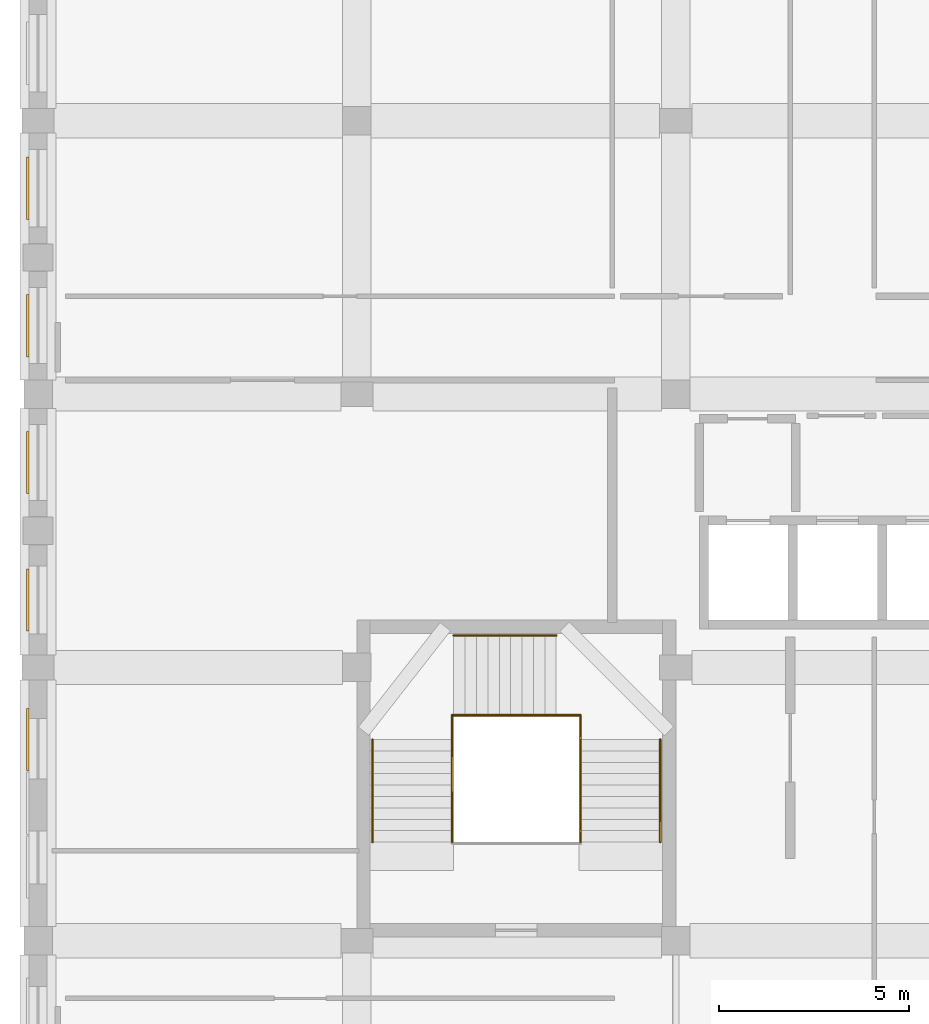
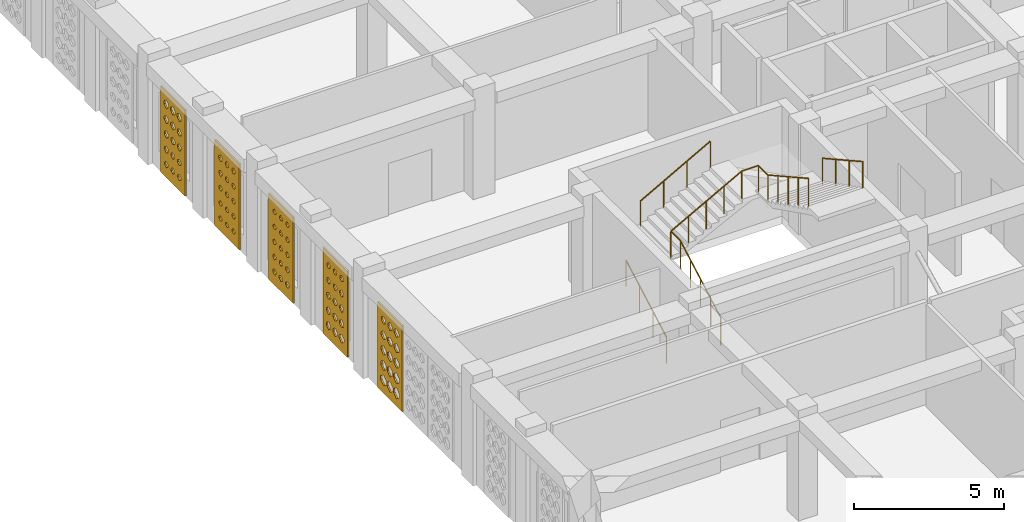
# One storey, part 80 of 111: 6 railings, 5 coverings.
"""IFC4 building model written with IfcOpenShell, lengths in metres."""

from ifc_helpers import new_model, si_unit, derived_unit, direction, frame, origin, origin_2d, place, context, subcontext, project, spatial, polyline, circle, outline, extrude, material, layer, layer_set, type_object, element, save


model = new_model("IFC4")

# Units and contexts
model_context = context("Model", 3, precision=1e-05, world=origin(), true_north=direction((0.0, 1.0)))
body_context = subcontext(model_context, "Body", "Model", "MODEL_VIEW")
ifc_project = project(units=[si_unit("LENGTHUNIT", "METRE"), si_unit("AREAUNIT", "SQUARE_METRE"), si_unit("VOLUMEUNIT", "CUBIC_METRE"), si_unit("PLANEANGLEUNIT", "RADIAN"), si_unit("MASSUNIT", "GRAM", prefix="KILO"), derived_unit("THERMALTRANSMITTANCEUNIT", [(si_unit("POWERUNIT", "WATT"), 1), (si_unit("LENGTHUNIT", "METRE"), -2), (si_unit("THERMODYNAMICTEMPERATUREUNIT", "KELVIN"), -1)])], contexts=[model_context])

# Site, building, storey
site_placement = place(None, origin())
site = spatial("IfcSite", under=ifc_project, at=site_placement, CompositionType="ELEMENT")
building_placement = place(site_placement, origin())
building = spatial("IfcBuilding", under=site, at=building_placement, Name="Veybourne Emporium", CompositionType="ELEMENT")
storey_placement = place(building_placement, frame((0.0, 0.0, 9.89990234375)))
storey = spatial("IfcBuildingStorey", under=building, at=storey_placement, Name="L02", CompositionType="ELEMENT", Elevation=9.89990234375)

# Railings
ifc_material_1 = material(Name="Brushed Stainless Steel", Category="steel")
railing_type_1 = type_object("IfcRailingType", Name="Guard_GR-01", PredefinedType="GUARDRAIL", material=ifc_material_1)
railing_1_placement = place(storey_placement, frame((10.909912109375, 31.39990234375, 0.0)))
element("IfcRailing", 1, at=railing_1_placement, inside=storey, type_object=railing_type_1, Name="L02 ST-02 stair guard 1", PredefinedType="GUARDRAIL", context=body_context, shape_type="SweptSolid", body=[
    extrude(circle(Radius=0.02392578125, at=origin_2d()), frame((0.0, 0.0, 1.1259765625), z_axis=(0.0, 0.874172188743, 0.48561608749), x_axis=(-1.0, 0.0, 0.0)), (0.0, 0.0, 1.0), 3.0888671875),
    extrude(circle(Radius=0.02392578125, at=origin_2d()), frame((0.0, 2.7001953125, 2.6259765625), z_axis=(0.0, 1.0, 0.0), x_axis=(-1.0, 0.0, 0.0)), (0.0, 0.0, 1.0), 0.639892578125),
    extrude(circle(Radius=0.02099609375, at=origin_2d()), origin(), (0.0, 0.0, 1.0), 1.101806640625),
    extrude(circle(Radius=0.02099609375, at=origin_2d()), frame((0.0, 0.675048828125, 0.375)), (0.0, 0.0, 1.0), 1.101806640625),
    extrude(circle(Radius=0.02099609375, at=origin_2d()), frame((0.0, 1.35009765625, 0.75)), (0.0, 0.0, 1.0), 1.101806640625),
    extrude(circle(Radius=0.02099609375, at=origin_2d()), frame((0.0, 2.025146484375, 1.125)), (0.0, 0.0, 1.0), 1.101806640625),
    extrude(circle(Radius=0.02099609375, at=origin_2d()), frame((0.0, 2.7001953125, 1.5)), (0.0, 0.0, 1.0), 1.101806640625),
    extrude(circle(Radius=0.02099609375, at=origin_2d()), frame((0.0, 3.340087890625, 1.5)), (0.0, 0.0, 1.0), 1.101806640625),
])
railing_2_placement = place(storey_placement, frame((10.909912109375, 34.739990234375, 1.5)))
element("IfcRailing", 2, at=railing_2_placement, inside=storey, type_object=railing_type_1, Name="L02 ST-02 stair guard 2", PredefinedType="GUARDRAIL", context=body_context, shape_type="SweptSolid", body=[
    extrude(circle(Radius=0.02392578125, at=origin_2d()), frame((0.0, 0.0, 1.1259765625), z_axis=(0.87715976088, 0.0, 0.480198660861), x_axis=(0.0, 1.0, 0.0)), (0.0, 0.0, 1.0), 3.123779296875),
    extrude(circle(Radius=0.02392578125, at=origin_2d()), frame((2.739990234375, 0.0, 2.6259765625), z_axis=(1.0, 0.0, 0.0), x_axis=(0.0, 1.0, 0.0)), (0.0, 0.0, 1.0), 0.64013671875),
    extrude(circle(Radius=0.02099609375, at=origin_2d()), origin(), (0.0, 0.0, 1.0), 1.101806640625),
    extrude(circle(Radius=0.02099609375, at=origin_2d()), frame((0.68505859375, 0.0, 0.375)), (0.0, 0.0, 1.0), 1.101806640625),
    extrude(circle(Radius=0.02099609375, at=origin_2d()), frame((1.3701171875, 0.0, 0.75)), (0.0, 0.0, 1.0), 1.101806640625),
    extrude(circle(Radius=0.02099609375, at=origin_2d()), frame((2.054931640625, 0.0, 1.125)), (0.0, 0.0, 1.0), 1.101806640625),
    extrude(circle(Radius=0.02099609375, at=origin_2d()), frame((2.739990234375, 0.0, 1.5)), (0.0, 0.0, 1.0), 1.101806640625),
    extrude(circle(Radius=0.02099609375, at=origin_2d()), frame((3.380126953125, 0.0, 1.5)), (0.0, 0.0, 1.0), 1.101806640625),
])
railing_3_placement = place(storey_placement, frame((14.2900390625, 34.739990234375, 3.0)))
element("IfcRailing", 3, at=railing_3_placement, inside=storey, type_object=railing_type_1, Name="L02 ST-02 stair guard 3", PredefinedType="GUARDRAIL", context=body_context, shape_type="SweptSolid", body=[
    extrude(circle(Radius=0.02392578125, at=origin_2d()), frame((0.0, 0.0, 1.1259765625), z_axis=(0.0, -1.0, 0.0), x_axis=(1.0, 0.0, 0.0)), (0.0, 0.0, 1.0), 0.639892578125),
    extrude(circle(Radius=0.02392578125, at=origin_2d()), frame((0.0, -0.639892578125, 1.1259765625), z_axis=(0.0, -0.874172188743, 0.48561608749), x_axis=(1.0, 0.0, 0.0)), (0.0, 0.0, 1.0), 3.0888671875),
    extrude(circle(Radius=0.02099609375, at=origin_2d()), origin(), (0.0, 0.0, 1.0), 1.101806640625),
    extrude(circle(Radius=0.02099609375, at=origin_2d()), frame((0.0, -0.639892578125, 0.0)), (0.0, 0.0, 1.0), 1.101806640625),
    extrude(circle(Radius=0.02099609375, at=origin_2d()), frame((0.0, -1.31494140625, 0.375)), (0.0, 0.0, 1.0), 1.101806640625),
    extrude(circle(Radius=0.02099609375, at=origin_2d()), frame((0.0, -1.989990234375, 0.75)), (0.0, 0.0, 1.0), 1.101806640625),
    extrude(circle(Radius=0.02099609375, at=origin_2d()), frame((0.0, -2.6650390625, 1.125)), (0.0, 0.0, 1.0), 1.101806640625),
    extrude(circle(Radius=0.02099609375, at=origin_2d()), frame((0.0, -3.340087890625, 1.5)), (0.0, 0.0, 1.0), 1.101806640625),
])
railing_type_2 = type_object("IfcRailingType", Name="Handrail_HR-01", PredefinedType="HANDRAIL", material=ifc_material_1)
railing_4_placement = place(storey_placement, frame((8.81005859375, 31.39990234375, 0.150146484375)))
element("IfcRailing", 4, at=railing_4_placement, inside=storey, type_object=railing_type_2, Name="L02 ST-02 pitch handrail 1", PredefinedType="HANDRAIL", context=body_context, shape_type="SweptSolid", body=[
    extrude(circle(Radius=0.02392578125, at=origin_2d()), frame((0.0, 0.0, 0.92578125), z_axis=(0.0, 0.874172188743, 0.48561608749), x_axis=(-1.0, 0.0, 0.0)), (0.0, 0.0, 1.0), 3.0888671875),
    extrude(circle(Radius=0.02099609375, at=origin_2d()), frame((0.0, 0.0, -0.14990234375)), (0.0, 0.0, 1.0), 1.0517578125),
    extrude(circle(Radius=0.02099609375, at=origin_2d()), frame((0.0, 0.900146484375, 0.35009765625)), (0.0, 0.0, 1.0), 1.0517578125),
    extrude(circle(Radius=0.02099609375, at=origin_2d()), frame((0.0, 1.800048828125, 0.85009765625)), (0.0, 0.0, 1.0), 1.0517578125),
    extrude(circle(Radius=0.02099609375, at=origin_2d()), frame((0.0, 2.7001953125, 1.35009765625)), (0.0, 0.0, 1.0), 1.0517578125),
])
railing_5_placement = place(storey_placement, frame((10.949951171875, 36.840087890625, 1.650146484375)))
element("IfcRailing", 5, at=railing_5_placement, inside=storey, type_object=railing_type_2, Name="L02 ST-02 pitch handrail 2", PredefinedType="HANDRAIL", context=body_context, shape_type="SweptSolid", body=[
    extrude(circle(Radius=0.02392578125, at=origin_2d()), frame((0.0, 0.0, 0.92578125), z_axis=(0.87415354758, 0.0, 0.485649642493), x_axis=(0.0, 1.0, 0.0)), (0.0, 0.0, 1.0), 3.088623046875),
    extrude(circle(Radius=0.02099609375, at=origin_2d()), frame((0.0, 0.0, -0.14990234375)), (0.0, 0.0, 1.0), 1.0517578125),
    extrude(circle(Radius=0.02099609375, at=origin_2d()), frame((0.89990234375, 0.0, 0.35009765625)), (0.0, 0.0, 1.0), 1.0517578125),
    extrude(circle(Radius=0.02099609375, at=origin_2d()), frame((1.800048828125, 0.0, 0.85009765625)), (0.0, 0.0, 1.0), 1.0517578125),
    extrude(circle(Radius=0.02099609375, at=origin_2d()), frame((2.699951171875, 0.0, 1.35009765625)), (0.0, 0.0, 1.0), 1.0517578125),
])
railing_6_placement = place(storey_placement, frame((16.389892578125, 34.10009765625, 3.150146484375)))
element("IfcRailing", 6, at=railing_6_placement, inside=storey, type_object=railing_type_2, Name="L02 ST-02 pitch handrail 3", PredefinedType="HANDRAIL", context=body_context, shape_type="SweptSolid", body=[
    extrude(circle(Radius=0.02392578125, at=origin_2d()), frame((0.0, 0.0, 0.92578125), z_axis=(0.0, -0.874172188743, 0.48561608749), x_axis=(1.0, 0.0, 0.0)), (0.0, 0.0, 1.0), 3.0888671875),
    extrude(circle(Radius=0.02099609375, at=origin_2d()), frame((0.0, 0.0, -0.14990234375)), (0.0, 0.0, 1.0), 1.0517578125),
    extrude(circle(Radius=0.02099609375, at=origin_2d()), frame((0.0, -0.900146484375, 0.35009765625)), (0.0, 0.0, 1.0), 1.0517578125),
    extrude(circle(Radius=0.02099609375, at=origin_2d()), frame((0.0, -1.800048828125, 0.85009765625)), (0.0, 0.0, 1.0), 1.0517578125),
    extrude(circle(Radius=0.02099609375, at=origin_2d()), frame((0.0, -2.7001953125, 1.35009765625)), (0.0, 0.0, 1.0), 1.0517578125),
])

# Coverings
ifc_material_2 = material(Name="Warm-White Perforated Aluminium Screen Alloy", Category="aluminium")
ifc_layer_1 = layer(ifc_material_2, 0.06005859375)
ifc_layer_set_1 = layer_set([ifc_layer_1], Name="Warm-White Perforated Aluminium Screen Alloy")
covering_type_1 = type_object("IfcCoveringType", Name="WaveScreen_SCR-01", PredefinedType="CLADDING", material=ifc_layer_set_1)
covering_1_placement = place(storey_placement, frame((-0.298095703125, 37.777587890625, 1.815185546875), z_axis=(1.0, 0.0, 0.0), x_axis=(0.0, 1.0, 0.0)))
element("IfcCovering", 7, at=covering_1_placement, inside=storey, type_object=covering_type_1, Name="L02 wave-perforated aluminium screen SCR-01 (5A.1)", PredefinedType="CLADDING", context=body_context, shape_type="SweptSolid", body=[
    extrude(outline(polyline([(-0.81982421875, -1.7548828125), (0.81982421875, -1.7548828125), (0.81982421875, 1.7548828125), (-0.81982421875, 1.7548828125), (-0.81982421875, -1.7548828125)]), holes=[polyline([(-0.433349609375, -1.05078125), (-0.2783203125, -1.164306640625), (-0.2783203125, -1.291748046875), (-0.433349609375, -1.4052734375), (-0.58837890625, -1.291748046875), (-0.58837890625, -1.164306640625), (-0.433349609375, -1.05078125)]), polyline([(-0.433349609375, -0.4501953125), (-0.289306640625, -0.55517578125), (-0.289306640625, -0.6728515625), (-0.433349609375, -0.777587890625), (-0.5771484375, -0.6728515625), (-0.5771484375, -0.55517578125), (-0.433349609375, -0.4501953125)]), polyline([(-0.433349609375, 0.15087890625), (-0.2998046875, 0.05419921875), (-0.2998046875, -0.05419921875), (-0.433349609375, -0.15087890625), (-0.56689453125, -0.05419921875), (-0.56689453125, 0.05419921875), (-0.433349609375, 0.15087890625)]), polyline([(-0.433349609375, 0.75341796875), (-0.309326171875, 0.6640625), (-0.309326171875, 0.56396484375), (-0.433349609375, 0.474609375), (-0.557373046875, 0.56396484375), (-0.557373046875, 0.6640625), (-0.433349609375, 0.75341796875)]), polyline([(-0.433349609375, 1.357421875), (-0.317626953125, 1.2744140625), (-0.317626953125, 1.181396484375), (-0.433349609375, 1.0986328125), (-0.549072265625, 1.181396484375), (-0.549072265625, 1.2744140625), (-0.433349609375, 1.357421875)]), polyline([(0.0, -1.056884765625), (0.14990234375, -1.16650390625), (0.14990234375, -1.28955078125), (0.0, -1.39892578125), (-0.14990234375, -1.28955078125), (-0.14990234375, -1.16650390625), (0.0, -1.056884765625)]), polyline([(0.0, -0.456298828125), (0.138916015625, -0.55712890625), (0.138916015625, -0.6708984375), (0.0, -0.771728515625), (-0.138916015625, -0.6708984375), (-0.138916015625, -0.55712890625), (0.0, -0.456298828125)]), polyline([(0.0, 0.1455078125), (0.12890625, 0.052490234375), (0.12890625, -0.052490234375), (0.0, -0.1455078125), (-0.12890625, -0.052490234375), (-0.12890625, 0.052490234375), (0.0, 0.1455078125)]), polyline([(0.0, 0.74853515625), (0.1201171875, 0.662353515625), (0.1201171875, 0.565673828125), (0.0, 0.4794921875), (-0.1201171875, 0.565673828125), (-0.1201171875, 0.662353515625), (0.0, 0.74853515625)]), polyline([(0.0, 1.353271484375), (0.112548828125, 1.273193359375), (0.112548828125, 1.182861328125), (0.0, 1.102783203125), (-0.112548828125, 1.182861328125), (-0.112548828125, 1.273193359375), (0.0, 1.353271484375)]), polyline([(0.433349609375, -1.06298828125), (0.578125, -1.168701171875), (0.578125, -1.287353515625), (0.433349609375, -1.392822265625), (0.288330078125, -1.287353515625), (0.288330078125, -1.168701171875), (0.433349609375, -1.06298828125)]), polyline([(0.433349609375, -0.4619140625), (0.567626953125, -0.559326171875), (0.567626953125, -0.668701171875), (0.433349609375, -0.76611328125), (0.299072265625, -0.668701171875), (0.299072265625, -0.559326171875), (0.433349609375, -0.4619140625)]), polyline([(0.433349609375, 0.140380859375), (0.55810546875, 0.050537109375), (0.55810546875, -0.050537109375), (0.433349609375, -0.140380859375), (0.30859375, -0.050537109375), (0.30859375, 0.050537109375), (0.433349609375, 0.140380859375)]), polyline([(0.433349609375, 0.744140625), (0.5498046875, 0.660888671875), (0.5498046875, 0.567138671875), (0.433349609375, 0.48388671875), (0.31689453125, 0.567138671875), (0.31689453125, 0.660888671875), (0.433349609375, 0.744140625)]), polyline([(0.433349609375, 1.349853515625), (0.54296875, 1.27197265625), (0.54296875, 1.18408203125), (0.433349609375, 1.106201171875), (0.32373046875, 1.18408203125), (0.32373046875, 1.27197265625), (0.433349609375, 1.349853515625)])]), origin(), (0.0, 0.0, 1.0), 0.06005859375),
])
covering_2_placement = place(storey_placement, frame((-0.298095703125, 41.3974609375, 1.815185546875), z_axis=(1.0, 0.0, 0.0), x_axis=(0.0, 1.0, 0.0)))
element("IfcCovering", 8, at=covering_2_placement, inside=storey, type_object=covering_type_1, Name="L02 wave-perforated aluminium screen SCR-01 (5B.1)", PredefinedType="CLADDING", context=body_context, shape_type="SweptSolid", body=[
    extrude(outline(polyline([(-0.81982421875, -1.7548828125), (0.81982421875, -1.7548828125), (0.81982421875, 1.7548828125), (-0.81982421875, 1.7548828125), (-0.81982421875, -1.7548828125)]), holes=[polyline([(-0.433349609375, -1.0966796875), (-0.31591796875, -1.180908203125), (-0.31591796875, -1.275146484375), (-0.433349609375, -1.359130859375), (-0.55078125, -1.275146484375), (-0.55078125, -1.180908203125), (-0.433349609375, -1.0966796875)]), polyline([(-0.433349609375, -0.4912109375), (-0.322998046875, -0.56982421875), (-0.322998046875, -0.658203125), (-0.433349609375, -0.73681640625), (-0.543701171875, -0.658203125), (-0.543701171875, -0.56982421875), (-0.433349609375, -0.4912109375)]), polyline([(-0.433349609375, 0.1162109375), (-0.328369140625, 0.041748046875), (-0.328369140625, -0.041748046875), (-0.433349609375, -0.1162109375), (-0.538330078125, -0.041748046875), (-0.538330078125, 0.041748046875), (-0.433349609375, 0.1162109375)]), polyline([(-0.433349609375, 0.72607421875), (-0.331787109375, 0.654296875), (-0.331787109375, 0.57373046875), (-0.433349609375, 0.501953125), (-0.534912109375, 0.57373046875), (-0.534912109375, 0.654296875), (-0.433349609375, 0.72607421875)]), polyline([(-0.433349609375, 1.338134765625), (-0.333251953125, 1.267578125), (-0.333251953125, 1.1884765625), (-0.433349609375, 1.117919921875), (-0.533447265625, 1.1884765625), (-0.533447265625, 1.267578125), (-0.433349609375, 1.338134765625)]), polyline([(0.0, -1.100830078125), (0.114013671875, -1.18212890625), (0.114013671875, -1.273681640625), (0.0, -1.35498046875), (-0.114013671875, -1.273681640625), (-0.114013671875, -1.18212890625), (0.0, -1.100830078125)]), polyline([(0.0, -0.494384765625), (0.10791015625, -0.571044921875), (0.10791015625, -0.656982421875), (0.0, -0.7333984375), (-0.10791015625, -0.656982421875), (-0.10791015625, -0.571044921875), (0.0, -0.494384765625)]), polyline([(0.0, 0.114013671875), (0.103271484375, 0.041015625), (0.103271484375, -0.041015625), (0.0, -0.114013671875), (-0.103271484375, -0.041015625), (-0.103271484375, 0.041015625), (0.0, 0.114013671875)]), polyline([(0.0, 0.724853515625), (0.1005859375, 0.65380859375), (0.1005859375, 0.57421875), (0.0, 0.503173828125), (-0.1005859375, 0.57421875), (-0.1005859375, 0.65380859375), (0.0, 0.724853515625)]), polyline([(0.0, 1.337890625), (0.10009765625, 1.267578125), (0.10009765625, 1.1884765625), (0.0, 1.117919921875), (-0.10009765625, 1.1884765625), (-0.10009765625, 1.267578125), (0.0, 1.337890625)]), polyline([(0.433349609375, -1.1044921875), (0.544189453125, -1.18359375), (0.544189453125, -1.2724609375), (0.433349609375, -1.351318359375), (0.322509765625, -1.2724609375), (0.322509765625, -1.18359375), (0.433349609375, -1.1044921875)]), polyline([(0.433349609375, -0.497314453125), (0.538818359375, -0.572021484375), (0.538818359375, -0.656005859375), (0.433349609375, -0.730712890625), (0.327880859375, -0.656005859375), (0.327880859375, -0.572021484375), (0.433349609375, -0.497314453125)]), polyline([(0.433349609375, 0.1123046875), (0.53515625, 0.040283203125), (0.53515625, -0.040283203125), (0.433349609375, -0.1123046875), (0.33154296875, -0.040283203125), (0.33154296875, 0.040283203125), (0.433349609375, 0.1123046875)]), polyline([(0.433349609375, 0.72412109375), (0.533447265625, 0.65380859375), (0.533447265625, 0.57421875), (0.433349609375, 0.50390625), (0.333251953125, 0.57421875), (0.333251953125, 0.65380859375), (0.433349609375, 0.72412109375)]), polyline([(0.433349609375, 1.33837890625), (0.53369140625, 1.267822265625), (0.53369140625, 1.188232421875), (0.433349609375, 1.117431640625), (0.3330078125, 1.188232421875), (0.3330078125, 1.267822265625), (0.433349609375, 1.33837890625)])]), origin(), (0.0, 0.0, 1.0), 0.06005859375),
])
ifc_layer_2 = layer(ifc_material_2, 0.06005859375)
ifc_layer_set_2 = layer_set([ifc_layer_2], Name="Warm-White Perforated Aluminium Screen Alloy")
covering_type_2 = type_object("IfcCoveringType", Name="WaveScreen_SCR-02", PredefinedType="CLADDING", material=ifc_layer_set_2)
covering_3_placement = place(storey_placement, frame((-0.298095703125, 34.10498046875, 1.815185546875), z_axis=(1.0, 0.0, 0.0), x_axis=(0.0, 1.0, 0.0)))
element("IfcCovering", 9, at=covering_3_placement, inside=storey, type_object=covering_type_2, Name="L02 wave-perforated aluminium screen SCR-02 (4.3)", PredefinedType="CLADDING", context=body_context, shape_type="SweptSolid", body=[
    extrude(outline(polyline([(-0.81982421875, -1.7548828125), (0.81982421875, -1.7548828125), (0.81982421875, 1.7548828125), (-0.81982421875, 1.7548828125), (-0.81982421875, -1.7548828125)]), holes=[polyline([(-0.433349609375, -0.997802734375), (-0.2470703125, -1.14501953125), (-0.2470703125, -1.310791015625), (-0.433349609375, -1.458251953125), (-0.61962890625, -1.310791015625), (-0.61962890625, -1.14501953125), (-0.433349609375, -0.997802734375)]), polyline([(-0.433349609375, -0.396728515625), (-0.2470703125, -0.535888671875), (-0.2470703125, -0.692138671875), (-0.433349609375, -0.831298828125), (-0.61962890625, -0.692138671875), (-0.61962890625, -0.535888671875), (-0.433349609375, -0.396728515625)]), polyline([(-0.433349609375, 0.203369140625), (-0.257080078125, 0.0732421875), (-0.257080078125, -0.0732421875), (-0.433349609375, -0.203369140625), (-0.609619140625, -0.0732421875), (-0.609619140625, 0.0732421875), (-0.433349609375, 0.203369140625)]), polyline([(-0.433349609375, 0.80322265625), (-0.2685546875, 0.68212890625), (-0.2685546875, 0.5458984375), (-0.433349609375, 0.4248046875), (-0.59814453125, 0.5458984375), (-0.59814453125, 0.68212890625), (-0.433349609375, 0.80322265625)]), polyline([(-0.433349609375, 1.403076171875), (-0.280029296875, 1.291015625), (-0.280029296875, 1.164794921875), (-0.433349609375, 1.052978515625), (-0.586669921875, 1.164794921875), (-0.586669921875, 1.291015625), (-0.433349609375, 1.403076171875)]), polyline([(0.0, -1.00341796875), (0.186279296875, -1.147216796875), (0.186279296875, -1.308837890625), (0.0, -1.452392578125), (-0.186279296875, -1.308837890625), (-0.186279296875, -1.147216796875), (0.0, -1.00341796875)]), polyline([(0.0, -0.403076171875), (0.1826171875, -0.5380859375), (0.1826171875, -0.68994140625), (0.0, -0.824951171875), (-0.1826171875, -0.68994140625), (-0.1826171875, -0.5380859375), (0.0, -0.403076171875)]), polyline([(0.0, 0.197021484375), (0.171142578125, 0.07080078125), (0.171142578125, -0.07080078125), (0.0, -0.197021484375), (-0.171142578125, -0.07080078125), (-0.171142578125, 0.07080078125), (0.0, 0.197021484375)]), polyline([(0.0, 0.796875), (0.15966796875, 0.6796875), (0.15966796875, 0.548095703125), (0.0, 0.43115234375), (-0.15966796875, 0.548095703125), (-0.15966796875, 0.6796875), (0.0, 0.796875)]), polyline([(0.0, 1.39697265625), (0.148193359375, 1.288818359375), (0.148193359375, 1.167236328125), (0.0, 1.05908203125), (-0.148193359375, 1.167236328125), (-0.148193359375, 1.288818359375), (0.0, 1.39697265625)]), polyline([(0.433349609375, -1.009521484375), (0.61962890625, -1.1494140625), (0.61962890625, -1.306640625), (0.433349609375, -1.4462890625), (0.2470703125, -1.306640625), (0.2470703125, -1.1494140625), (0.433349609375, -1.009521484375)]), polyline([(0.433349609375, -0.4091796875), (0.61083984375, -0.540283203125), (0.61083984375, -0.687744140625), (0.433349609375, -0.818603515625), (0.255859375, -0.687744140625), (0.255859375, -0.540283203125), (0.433349609375, -0.4091796875)]), polyline([(0.433349609375, 0.1904296875), (0.59912109375, 0.068603515625), (0.59912109375, -0.068603515625), (0.433349609375, -0.1904296875), (0.267578125, -0.068603515625), (0.267578125, 0.068603515625), (0.433349609375, 0.1904296875)]), polyline([(0.433349609375, 0.790283203125), (0.587646484375, 0.677490234375), (0.587646484375, 0.550537109375), (0.433349609375, 0.4375), (0.279052734375, 0.550537109375), (0.279052734375, 0.677490234375), (0.433349609375, 0.790283203125)]), polyline([(0.433349609375, 1.390869140625), (0.57666015625, 1.28662109375), (0.57666015625, 1.16943359375), (0.433349609375, 1.065185546875), (0.2900390625, 1.16943359375), (0.2900390625, 1.28662109375), (0.433349609375, 1.390869140625)])]), origin(), (0.0, 0.0, 1.0), 0.06005859375),
])
covering_4_placement = place(storey_placement, frame((-0.298095703125, 45.00244140625, 1.815185546875), z_axis=(1.0, 0.0, 0.0), x_axis=(0.0, 1.0, 0.0)))
element("IfcCovering", 10, at=covering_4_placement, inside=storey, type_object=covering_type_2, Name="L02 wave-perforated aluminium screen SCR-02 (6A.1)", PredefinedType="CLADDING", context=body_context, shape_type="SweptSolid", body=[
    extrude(outline(polyline([(-0.81982421875, -1.7548828125), (0.81982421875, -1.7548828125), (0.81982421875, 1.7548828125), (-0.81982421875, 1.7548828125), (-0.81982421875, -1.7548828125)]), holes=[polyline([(-0.433349609375, -1.11767578125), (-0.3330078125, -1.188232421875), (-0.3330078125, -1.267578125), (-0.433349609375, -1.33837890625), (-0.53369140625, -1.267578125), (-0.53369140625, -1.188232421875), (-0.433349609375, -1.11767578125)]), polyline([(-0.433349609375, -0.503662109375), (-0.3330078125, -0.57421875), (-0.3330078125, -0.65380859375), (-0.433349609375, -0.724365234375), (-0.53369140625, -0.65380859375), (-0.53369140625, -0.57421875), (-0.433349609375, -0.503662109375)]), polyline([(-0.433349609375, 0.11279296875), (-0.3310546875, 0.04052734375), (-0.3310546875, -0.04052734375), (-0.433349609375, -0.11279296875), (-0.53564453125, -0.04052734375), (-0.53564453125, 0.04052734375), (-0.433349609375, 0.11279296875)]), polyline([(-0.433349609375, 0.7314453125), (-0.3271484375, 0.65625), (-0.3271484375, 0.57177734375), (-0.433349609375, 0.49658203125), (-0.53955078125, 0.57177734375), (-0.53955078125, 0.65625), (-0.433349609375, 0.7314453125)]), polyline([(-0.433349609375, 1.3525390625), (-0.3212890625, 1.272705078125), (-0.3212890625, 1.18310546875), (-0.433349609375, 1.103515625), (-0.545166015625, 1.18310546875), (-0.545166015625, 1.272705078125), (-0.433349609375, 1.3525390625)]), polyline([(0.0, -1.117919921875), (0.10009765625, -1.1884765625), (0.10009765625, -1.267578125), (0.0, -1.337890625), (-0.10009765625, -1.267578125), (-0.10009765625, -1.1884765625), (0.0, -1.117919921875)]), polyline([(0.0, -0.5029296875), (0.100830078125, -0.573974609375), (0.100830078125, -0.654052734375), (0.0, -0.72509765625), (-0.100830078125, -0.654052734375), (-0.100830078125, -0.573974609375), (0.0, -0.5029296875)]), polyline([(0.0, 0.114501953125), (0.103759765625, 0.041259765625), (0.103759765625, -0.041259765625), (0.0, -0.114501953125), (-0.103759765625, -0.041259765625), (-0.103759765625, 0.041259765625), (0.0, 0.114501953125)]), polyline([(0.0, 0.734375), (0.1083984375, 0.657470703125), (0.1083984375, 0.570556640625), (0.0, 0.49365234375), (-0.1083984375, 0.570556640625), (-0.1083984375, 0.657470703125), (0.0, 0.734375)]), polyline([(0.0, 1.3564453125), (0.114990234375, 1.274169921875), (0.114990234375, 1.181884765625), (0.0, 1.099609375), (-0.114990234375, 1.181884765625), (-0.114990234375, 1.274169921875), (0.0, 1.3564453125)]), polyline([(0.433349609375, -1.117919921875), (0.533447265625, -1.188232421875), (0.533447265625, -1.267578125), (0.433349609375, -1.338134765625), (0.333251953125, -1.267578125), (0.333251953125, -1.188232421875), (0.433349609375, -1.117919921875)]), polyline([(0.433349609375, -0.501708984375), (0.535400390625, -0.573486328125), (0.535400390625, -0.654541015625), (0.433349609375, -0.726318359375), (0.331298828125, -0.654541015625), (0.331298828125, -0.573486328125), (0.433349609375, -0.501708984375)]), polyline([(0.433349609375, 0.116943359375), (0.5390625, 0.0419921875), (0.5390625, -0.0419921875), (0.433349609375, -0.116943359375), (0.32763671875, -0.0419921875), (0.32763671875, 0.0419921875), (0.433349609375, 0.116943359375)]), polyline([(0.433349609375, 0.73779296875), (0.544677734375, 0.65869140625), (0.544677734375, 0.5693359375), (0.433349609375, 0.490234375), (0.322021484375, 0.5693359375), (0.322021484375, 0.65869140625), (0.433349609375, 0.73779296875)]), polyline([(0.433349609375, 1.360595703125), (0.5517578125, 1.275634765625), (0.5517578125, 1.180419921875), (0.433349609375, 1.095458984375), (0.314697265625, 1.180419921875), (0.314697265625, 1.275634765625), (0.433349609375, 1.360595703125)])]), origin(), (0.0, 0.0, 1.0), 0.06005859375),
])
covering_5_placement = place(storey_placement, frame((-0.298095703125, 48.62255859375, 1.815185546875), z_axis=(1.0, 0.0, 0.0), x_axis=(0.0, 1.0, 0.0)))
element("IfcCovering", 11, at=covering_5_placement, inside=storey, type_object=covering_type_2, Name="L02 wave-perforated aluminium screen SCR-02 (6B.1)", PredefinedType="CLADDING", context=body_context, shape_type="SweptSolid", body=[
    extrude(outline(polyline([(-0.81982421875, -1.7548828125), (0.81982421875, -1.7548828125), (0.81982421875, 1.7548828125), (-0.81982421875, 1.7548828125), (-0.81982421875, -1.7548828125)]), holes=[polyline([(-0.433349609375, -1.10498046875), (-0.32275390625, -1.183837890625), (-0.32275390625, -1.272216796875), (-0.433349609375, -1.350830078125), (-0.5439453125, -1.272216796875), (-0.5439453125, -1.183837890625), (-0.433349609375, -1.10498046875)]), polyline([(-0.433349609375, -0.482421875), (-0.315673828125, -0.566650390625), (-0.315673828125, -0.661376953125), (-0.433349609375, -0.74560546875), (-0.55078125, -0.661376953125), (-0.55078125, -0.566650390625), (-0.433349609375, -0.482421875)]), polyline([(-0.433349609375, 0.141845703125), (-0.30712890625, 0.051025390625), (-0.30712890625, -0.051025390625), (-0.433349609375, -0.141845703125), (-0.559326171875, -0.051025390625), (-0.559326171875, 0.051025390625), (-0.433349609375, 0.141845703125)]), polyline([(-0.433349609375, 0.767822265625), (-0.297607421875, 0.66943359375), (-0.297607421875, 0.55859375), (-0.433349609375, 0.460205078125), (-0.569091796875, 0.55859375), (-0.569091796875, 0.66943359375), (-0.433349609375, 0.767822265625)]), polyline([(-0.433349609375, 1.394775390625), (-0.286865234375, 1.2880859375), (-0.286865234375, 1.16796875), (-0.433349609375, 1.061279296875), (-0.579833984375, 1.16796875), (-0.579833984375, 1.2880859375), (-0.433349609375, 1.394775390625)]), polyline([(0.0, -1.101318359375), (0.113525390625, -1.182373046875), (0.113525390625, -1.273681640625), (0.0, -1.3544921875), (-0.113525390625, -1.273681640625), (-0.113525390625, -1.182373046875), (0.0, -1.101318359375)]), polyline([(0.0, -0.47802734375), (0.121337890625, -0.56494140625), (0.121337890625, -0.6630859375), (0.0, -0.75), (-0.121337890625, -0.6630859375), (-0.121337890625, -0.56494140625), (0.0, -0.47802734375)]), polyline([(0.0, 0.147216796875), (0.13037109375, 0.052978515625), (0.13037109375, -0.052978515625), (0.0, -0.147216796875), (-0.13037109375, -0.052978515625), (-0.13037109375, 0.052978515625), (0.0, 0.147216796875)]), polyline([(0.0, 0.773681640625), (0.140625, 0.67138671875), (0.140625, 0.556640625), (0.0, 0.454345703125), (-0.140625, 0.556640625), (-0.140625, 0.67138671875), (0.0, 0.773681640625)]), polyline([(0.0, 1.40087890625), (0.151611328125, 1.290283203125), (0.151611328125, 1.165771484375), (0.0, 1.054931640625), (-0.151611328125, 1.165771484375), (-0.151611328125, 1.290283203125), (0.0, 1.40087890625)]), polyline([(0.433349609375, -1.097412109375), (0.55029296875, -1.180908203125), (0.55029296875, -1.27490234375), (0.433349609375, -1.358642578125), (0.31640625, -1.27490234375), (0.31640625, -1.180908203125), (0.433349609375, -1.097412109375)]), polyline([(0.433349609375, -0.47314453125), (0.55859375, -0.563232421875), (0.55859375, -0.664794921875), (0.433349609375, -0.7548828125), (0.30810546875, -0.664794921875), (0.30810546875, -0.563232421875), (0.433349609375, -0.47314453125)]), polyline([(0.433349609375, 0.152587890625), (0.568115234375, 0.054931640625), (0.568115234375, -0.054931640625), (0.433349609375, -0.152587890625), (0.298583984375, -0.054931640625), (0.298583984375, 0.054931640625), (0.433349609375, 0.152587890625)]), polyline([(0.433349609375, 0.779541015625), (0.578857421875, 0.673583984375), (0.578857421875, 0.554443359375), (0.433349609375, 0.448486328125), (0.287841796875, 0.554443359375), (0.287841796875, 0.673583984375), (0.433349609375, 0.779541015625)]), polyline([(0.433349609375, 1.4072265625), (0.590087890625, 1.29248046875), (0.590087890625, 1.163330078125), (0.433349609375, 1.048583984375), (0.276611328125, 1.163330078125), (0.276611328125, 1.29248046875), (0.433349609375, 1.4072265625)])]), origin(), (0.0, 0.0, 1.0), 0.06005859375),
])

save(model, "model.ifc")
